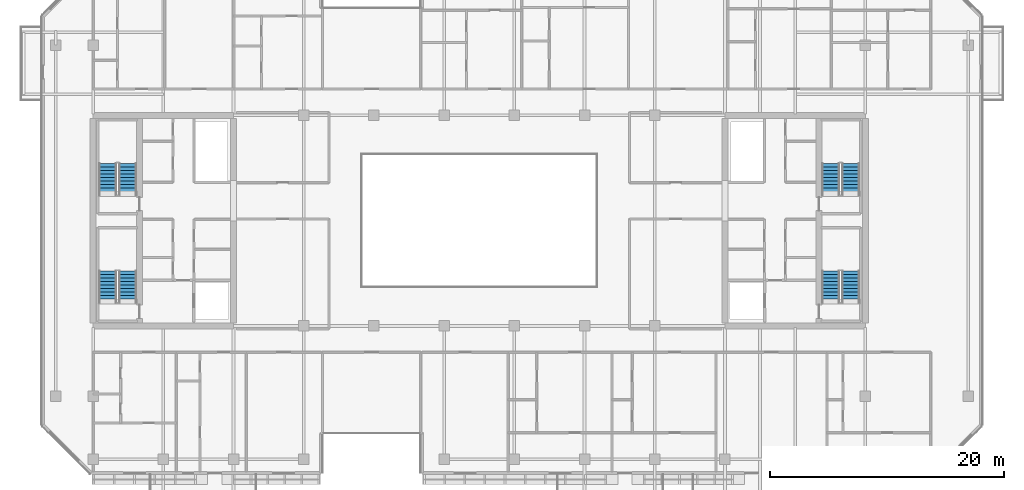
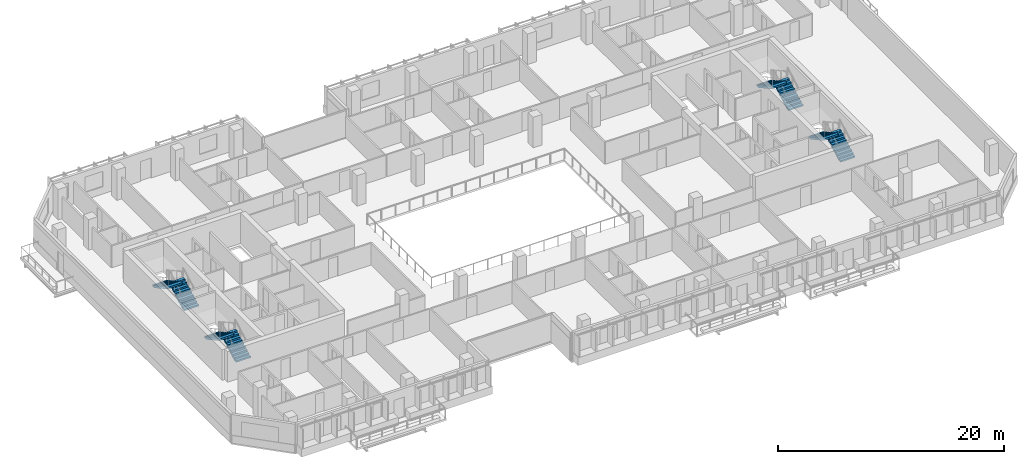
# One storey, part 15 of 21: 8 stair flights, 4 elements without a shape of their own.
"""IFC4 building model written with IfcOpenShell, lengths in metres."""

import ifcopenshell
import ifcopenshell.guid

model = None  # the IFC model being written
_history = None  # IfcOwnerHistory: only IFC2X3 demands one
_inside = {}  # id of a spatial element -> (the spatial element, [elements in it])
_under = {}  # id of a project, library or spatial element -> (it, [spatial elements below it])
_declared = {}  # id of a project -> (the project, [libraries it declares])
_typed = {}  # id of a type object -> (the type object, [elements of that type])
_made_of = {}  # id of a material, layer set ... -> (it, [elements and type objects made of it])


def new_model(schema):
    """Start an empty IFC model of exactly this schema.

    Asked for "IFC4X3", IfcOpenShell would pick the latest addendum, in which some entities
    have other attributes; the version numbers below select the first issue.
    IFC2X3 requires an IfcOwnerHistory on every rooted entity: one is made here for all.
    """
    global model, _history
    if schema == "IFC4X3":
        model = ifcopenshell.file(schema_version=(4, 3, 0, 0))
    else:
        model = ifcopenshell.file(schema=schema)
    _inside.clear()
    _under.clear()
    _declared.clear()
    _typed.clear()
    _made_of.clear()
    _history = None
    if model.schema == "IFC2X3":
        org = make("IfcOrganization", Name="unknown")
        user = make(
            "IfcPersonAndOrganization",
            ThePerson=make("IfcPerson", FamilyName="unknown"),
            TheOrganization=org,
        )
        app = make(
            "IfcApplication",
            ApplicationDeveloper=org,
            Version="unknown",
            ApplicationFullName="unknown",
            ApplicationIdentifier="unknown",
        )
        _history = make(
            "IfcOwnerHistory",
            OwningUser=user,
            OwningApplication=app,
            ChangeAction="ADDED",
            CreationDate=0,
        )
    return model


def make(cls, **values):
    """One entity of the class cls with the attributes given. An attribute that is None is left unset."""
    return model.create_entity(
        cls, **{name: value for name, value in values.items() if value is not None}
    )


def rooted(cls, **values):
    """An entity with a GlobalId (a new one), such as an element, a storey or a relation."""
    return make(cls, GlobalId=ifcopenshell.guid.new(), OwnerHistory=_history, **values)


def si_unit(unit_type, name, prefix=None):
    """IfcSIUnit, for example si_unit("LENGTHUNIT", "METRE", prefix="MILLI")."""
    return make("IfcSIUnit", UnitType=unit_type, Prefix=prefix, Name=name)


def assignment(units):
    """IfcUnitAssignment: the units of a project."""
    return None if units is None else make("IfcUnitAssignment", Units=units)


def point(xyz):
    """IfcCartesianPoint."""
    return None if xyz is None else make("IfcCartesianPoint", Coordinates=xyz)


def direction(xyz):
    """IfcDirection."""
    return None if xyz is None else make("IfcDirection", DirectionRatios=xyz)


def frame(location, z_axis=None, x_axis=None):
    """IfcAxis2Placement3D, a coordinate frame: its origin and axes. An axis left out is left unset."""
    return make(
        "IfcAxis2Placement3D",
        Location=point(location),
        Axis=direction(z_axis),
        RefDirection=direction(x_axis),
    )


def origin():
    """The frame at (0, 0, 0) with its axes left unset."""
    return frame((0.0, 0.0, 0.0))


def place(relative_to, where):
    """IfcLocalPlacement: puts the frame where relative to a parent placement (None: the world)."""
    return make(
        "IfcLocalPlacement", PlacementRelTo=relative_to, RelativePlacement=where
    )


def context(
    kind, dimensions, precision=None, world=None, true_north=None, identifier=None
):
    """IfcGeometricRepresentationContext, for example the 3D "Model" context."""
    return make(
        "IfcGeometricRepresentationContext",
        ContextIdentifier=identifier,
        ContextType=kind,
        CoordinateSpaceDimension=dimensions,
        Precision=precision,
        WorldCoordinateSystem=world,
        TrueNorth=true_north,
    )


def subcontext(parent, identifier, kind, view, scale=None):
    """IfcGeometricRepresentationSubContext, for example "Body" below "Model"."""
    return make(
        "IfcGeometricRepresentationSubContext",
        ContextIdentifier=identifier,
        ContextType=kind,
        ParentContext=parent,
        TargetScale=scale,
        TargetView=view,
    )


def project(units=None, contexts=None):
    """IfcProject with its units and contexts."""
    return rooted(
        "IfcProject",
        Name="project",
        RepresentationContexts=contexts,
        UnitsInContext=assignment(units),
    )


def spatial(cls, under=None, at=None, **own):
    """A site, building, storey or space (cls), placed at a placement, below another one or the project."""
    s = rooted(cls, ObjectPlacement=at, **own)
    if under is not None:
        _under.setdefault(under.id(), (under, []))[1].append(s)
    return s


def polyline(points):
    """IfcPolyline through the points."""
    return make("IfcPolyline", Points=[point(p) for p in points])


def outline(outer, holes=None, kind="AREA"):
    """IfcArbitraryClosedProfileDef: a profile drawn as a closed curve; with holes, ...WithVoids."""
    if holes is None:
        return make("IfcArbitraryClosedProfileDef", ProfileType=kind, OuterCurve=outer)
    return make(
        "IfcArbitraryProfileDefWithVoids",
        ProfileType=kind,
        OuterCurve=outer,
        InnerCurves=holes,
    )


def extrude(swept, where, along, depth):
    """IfcExtrudedAreaSolid: the profile swept, set in the frame where, extruded along a direction by depth."""
    return make(
        "IfcExtrudedAreaSolid",
        SweptArea=swept,
        Position=where,
        ExtrudedDirection=direction(along),
        Depth=depth,
    )


def shape(context_of_items, identifier, shape_type, items):
    """IfcShapeRepresentation: the items that make up one representation, for example the "Body"."""
    return make(
        "IfcShapeRepresentation",
        ContextOfItems=context_of_items,
        RepresentationIdentifier=identifier,
        RepresentationType=shape_type,
        Items=items,
    )


def material(Name=None, Category=None):
    """IfcMaterial."""
    return make("IfcMaterial", Name=Name, Category=Category)


def made_of(thing, what):
    """Note that an element or type object is made of a material, layer set ...; save() writes the relation."""
    if what is not None:
        _made_of.setdefault(what.id(), (what, []))[1].append(thing)
    return thing


def type_object(cls, material=None, **own):
    """A type object (cls), such as IfcWallType, which elements share."""
    return made_of(rooted(cls, **own), material)


def element(
    cls,
    number,
    at=None,
    inside=None,
    cuts=None,
    type_object=None,
    material=None,
    context=None,
    identifier="Body",
    shape_type=None,
    held_by="IfcProductDefinitionShape",
    body=None,
    shapes=None,
    **own,
):
    """One element of the class cls, such as IfcWall. Its Tag is "e" and its number.

    at: its placement. inside: the storey or other place that contains it. cuts: it is an
    opening in that element (IfcRelVoidsElement). A single representation is given by context,
    identifier, shape_type and body (its items); several are given by shapes. held_by: the class
    of the entity that holds the representations. save() writes the other relations.
    """
    e = rooted(cls, Tag="e%d" % number, ObjectPlacement=at, **own)
    if body is not None:
        shapes = [shape(context, identifier, shape_type, body)]
    if shapes is not None:
        e.Representation = make(held_by, Representations=shapes)
    if inside is not None:
        _inside.setdefault(inside.id(), (inside, []))[1].append(e)
    if cuts is not None:
        rooted(
            "IfcRelVoidsElement", RelatingBuildingElement=cuts, RelatedOpeningElement=e
        )
    if type_object is not None:
        _typed.setdefault(type_object.id(), (type_object, []))[1].append(e)
    return made_of(e, material)


def aggregate(whole, parts):
    """IfcRelAggregates: a whole, such as a stair, and the parts it consists of."""
    return rooted("IfcRelAggregates", RelatingObject=whole, RelatedObjects=parts)


def save(model, path):
    """Write the relations noted so far, then the file.

    IfcRelAggregates (storeys below a building ...), IfcRelContainedInSpatialStructure (elements
    in a storey), IfcRelDefinesByType, IfcRelAssociatesMaterial and IfcRelDeclares: one each for
    every whole, place, type object, material and project.
    """
    for whole, parts in _under.values():
        aggregate(whole, parts)
    for where, things in _inside.values():
        rooted(
            "IfcRelContainedInSpatialStructure",
            RelatedElements=things,
            RelatingStructure=where,
        )
    for kind, things in _typed.values():
        rooted("IfcRelDefinesByType", RelatedObjects=things, RelatingType=kind)
    for what, things in _made_of.values():
        rooted("IfcRelAssociatesMaterial", RelatedObjects=things, RelatingMaterial=what)
    for by, libraries in _declared.values():
        rooted("IfcRelDeclares", RelatingContext=by, RelatedDefinitions=libraries)
    model.write(path)


model = new_model("IFC4")

# Units and contexts
model_context = context("Model", 3, precision=1e-05, world=origin(), true_north=direction((0.0, 1.0)))
body_context = subcontext(model_context, "Body", "Model", "MODEL_VIEW")
ifc_project = project(units=[si_unit("LENGTHUNIT", "METRE"), si_unit("AREAUNIT", "SQUARE_METRE"), si_unit("VOLUMEUNIT", "CUBIC_METRE"), si_unit("PLANEANGLEUNIT", "RADIAN"), si_unit("MASSUNIT", "GRAM", prefix="KILO")], contexts=[model_context])

# Site, building, storey
site_placement = place(None, origin())
site = spatial("IfcSite", under=ifc_project, at=site_placement, CompositionType="ELEMENT")
building_placement = place(site_placement, origin())
building = spatial("IfcBuilding", under=site, at=building_placement, Name="Tanjung Sevakor Pilgrim Tower", CompositionType="ELEMENT")
storey_placement = place(building_placement, frame((0.0, 0.0, 145.199951171875)))
storey = spatial("IfcBuildingStorey", under=building, at=storey_placement, Name="L40", CompositionType="ELEMENT", Elevation=145.199951171875)

# Stair, stair flights
ifc_material_1 = material(Name="Concrete C40/50", Category="concrete")
stair_type = type_object("IfcStairType", Name="STAIR-ST-CR150", PredefinedType="HALF_TURN_STAIR", material=ifc_material_1)
stair_1_placement = place(storey_placement, origin())
stair_1 = element("IfcStair", 1, at=stair_1_placement, inside=storey, type_object=stair_type, Name="L40 West Core Exit Stair 1", PredefinedType="HALF_TURN_STAIR")
ifc_material_2 = material(Name="Concrete C40/50", Category="concrete")
stair_flight_type = type_object("IfcStairFlightType", Name="FLIGHT-ST-CR150", PredefinedType="STRAIGHT", material=ifc_material_2)
stair_flight_1_placement = place(storey_placement, frame((26.949951171875, 26.60009765625, 0.0), z_axis=(0.0, 0.0, 1.0), x_axis=(0.0, 1.0, 0.0)))
stair_flight_1 = element("IfcStairFlight", 2, at=stair_flight_1_placement, type_object=stair_flight_type, Name="TS-W1 flight 1", NumberOfRisers=10, NumberOfTreads=9, PredefinedType="STRAIGHT", RiserHeight=0.165, TreadLength=0.3, context=body_context, shape_type="SweptSolid", body=[
    extrude(outline(polyline([(0.0, 0.0), (0.0, 0.1650390625), (0.300048828125, 0.1650390625), (0.300048828125, 0.330078125), (0.60009765625, 0.330078125), (0.60009765625, 0.4951171875), (0.89990234375, 0.4951171875), (0.89990234375, 0.659912109375), (1.199951171875, 0.659912109375), (1.199951171875, 0.824951171875), (1.5, 0.824951171875), (1.5, 0.989990234375), (1.800048828125, 0.989990234375), (1.800048828125, 1.155029296875), (2.10009765625, 1.155029296875), (2.10009765625, 1.320068359375), (2.39990234375, 1.320068359375), (2.39990234375, 1.485107421875), (2.699951171875, 1.485107421875), (2.699951171875, 1.64990234375), (2.699951171875, 1.302490234375), (0.331787109375, 0.0), (0.0, 0.0)])), frame((0.0, 0.75, 0.0), z_axis=(0.0, -1.0, 0.0), x_axis=(1.0, 0.0, 0.0)), (0.0, 0.0, 1.0), 1.5),
])
stair_flight_2_placement = place(storey_placement, frame((25.25, 29.300048828125, 1.650146484375), z_axis=(0.0, 0.0, 1.0), x_axis=(0.0, -1.0, 0.0)))
stair_flight_2 = element("IfcStairFlight", 3, at=stair_flight_2_placement, type_object=stair_flight_type, Name="TS-W1 flight 2", NumberOfRisers=10, NumberOfTreads=9, PredefinedType="STRAIGHT", RiserHeight=0.165, TreadLength=0.3, context=body_context, shape_type="SweptSolid", body=[
    extrude(outline(polyline([(0.0, 0.0), (0.0, 0.1650390625), (0.300048828125, 0.1650390625), (0.300048828125, 0.330078125), (0.60009765625, 0.330078125), (0.60009765625, 0.4951171875), (0.89990234375, 0.4951171875), (0.89990234375, 0.659912109375), (1.199951171875, 0.659912109375), (1.199951171875, 0.824951171875), (1.5, 0.824951171875), (1.5, 0.989990234375), (1.800048828125, 0.989990234375), (1.800048828125, 1.155029296875), (2.10009765625, 1.155029296875), (2.10009765625, 1.320068359375), (2.39990234375, 1.320068359375), (2.39990234375, 1.485107421875), (2.699951171875, 1.485107421875), (2.699951171875, 1.64990234375), (2.699951171875, 1.302490234375), (0.331787109375, 0.0), (0.0, 0.0)])), frame((0.0, 0.75, 0.0), z_axis=(0.0, -1.0, 0.0), x_axis=(1.0, 0.0, 0.0)), (0.0, 0.0, 1.0), 1.5),
])
aggregate(stair_1, [stair_flight_1, stair_flight_2])

stair_2_placement = place(storey_placement, origin())
stair_2 = element("IfcStair", 4, at=stair_2_placement, inside=storey, type_object=stair_type, Name="L40 West Core Exit Stair 2", PredefinedType="HALF_TURN_STAIR")
stair_flight_3_placement = place(storey_placement, frame((26.949951171875, 35.800048828125, 0.0), z_axis=(0.0, 0.0, 1.0), x_axis=(0.0, 1.0, 0.0)))
stair_flight_3 = element("IfcStairFlight", 5, at=stair_flight_3_placement, type_object=stair_flight_type, Name="TS-W2 flight 1", NumberOfRisers=10, NumberOfTreads=9, PredefinedType="STRAIGHT", RiserHeight=0.165, TreadLength=0.3, context=body_context, shape_type="SweptSolid", body=[
    extrude(outline(polyline([(0.0, 0.0), (0.0, 0.1650390625), (0.300048828125, 0.1650390625), (0.300048828125, 0.330078125), (0.60009765625, 0.330078125), (0.60009765625, 0.4951171875), (0.89990234375, 0.4951171875), (0.89990234375, 0.659912109375), (1.199951171875, 0.659912109375), (1.199951171875, 0.824951171875), (1.5, 0.824951171875), (1.5, 0.989990234375), (1.800048828125, 0.989990234375), (1.800048828125, 1.155029296875), (2.10009765625, 1.155029296875), (2.10009765625, 1.320068359375), (2.39990234375, 1.320068359375), (2.39990234375, 1.485107421875), (2.699951171875, 1.485107421875), (2.699951171875, 1.64990234375), (2.699951171875, 1.302490234375), (0.331787109375, 0.0), (0.0, 0.0)])), frame((0.0, 0.75, 0.0), z_axis=(0.0, -1.0, 0.0), x_axis=(1.0, 0.0, 0.0)), (0.0, 0.0, 1.0), 1.5),
])
stair_flight_4_placement = place(storey_placement, frame((25.25, 38.5, 1.650146484375), z_axis=(0.0, 0.0, 1.0), x_axis=(0.0, -1.0, 0.0)))
stair_flight_4 = element("IfcStairFlight", 6, at=stair_flight_4_placement, type_object=stair_flight_type, Name="TS-W2 flight 2", NumberOfRisers=10, NumberOfTreads=9, PredefinedType="STRAIGHT", RiserHeight=0.165, TreadLength=0.3, context=body_context, shape_type="SweptSolid", body=[
    extrude(outline(polyline([(0.0, 0.0), (0.0, 0.1650390625), (0.300048828125, 0.1650390625), (0.300048828125, 0.330078125), (0.60009765625, 0.330078125), (0.60009765625, 0.4951171875), (0.89990234375, 0.4951171875), (0.89990234375, 0.659912109375), (1.199951171875, 0.659912109375), (1.199951171875, 0.824951171875), (1.5, 0.824951171875), (1.5, 0.989990234375), (1.800048828125, 0.989990234375), (1.800048828125, 1.155029296875), (2.10009765625, 1.155029296875), (2.10009765625, 1.320068359375), (2.39990234375, 1.320068359375), (2.39990234375, 1.485107421875), (2.699951171875, 1.485107421875), (2.699951171875, 1.64990234375), (2.699951171875, 1.302490234375), (0.331787109375, 0.0), (0.0, 0.0)])), frame((0.0, 0.75, 0.0), z_axis=(0.0, -1.0, 0.0), x_axis=(1.0, 0.0, 0.0)), (0.0, 0.0, 1.0), 1.5),
])
aggregate(stair_2, [stair_flight_3, stair_flight_4])

stair_3_placement = place(storey_placement, origin())
stair_3 = element("IfcStair", 7, at=stair_3_placement, inside=storey, type_object=stair_type, Name="L40 East Core Exit Stair 1", PredefinedType="HALF_TURN_STAIR")
stair_flight_5_placement = place(storey_placement, frame((88.75, 26.60009765625, 0.0), z_axis=(0.0, 0.0, 1.0), x_axis=(0.0, 1.0, 0.0)))
stair_flight_5 = element("IfcStairFlight", 8, at=stair_flight_5_placement, type_object=stair_flight_type, Name="TS-E1 flight 1", NumberOfRisers=10, NumberOfTreads=9, PredefinedType="STRAIGHT", RiserHeight=0.165, TreadLength=0.3, context=body_context, shape_type="SweptSolid", body=[
    extrude(outline(polyline([(0.0, 0.0), (0.0, 0.1650390625), (0.300048828125, 0.1650390625), (0.300048828125, 0.330078125), (0.60009765625, 0.330078125), (0.60009765625, 0.4951171875), (0.89990234375, 0.4951171875), (0.89990234375, 0.659912109375), (1.199951171875, 0.659912109375), (1.199951171875, 0.824951171875), (1.5, 0.824951171875), (1.5, 0.989990234375), (1.800048828125, 0.989990234375), (1.800048828125, 1.155029296875), (2.10009765625, 1.155029296875), (2.10009765625, 1.320068359375), (2.39990234375, 1.320068359375), (2.39990234375, 1.485107421875), (2.699951171875, 1.485107421875), (2.699951171875, 1.64990234375), (2.699951171875, 1.302490234375), (0.331787109375, 0.0), (0.0, 0.0)])), frame((0.0, 0.75, 0.0), z_axis=(0.0, -1.0, 0.0), x_axis=(1.0, 0.0, 0.0)), (0.0, 0.0, 1.0), 1.5),
])
stair_flight_6_placement = place(storey_placement, frame((87.050048828125, 29.300048828125, 1.650146484375), z_axis=(0.0, 0.0, 1.0), x_axis=(0.0, -1.0, 0.0)))
stair_flight_6 = element("IfcStairFlight", 9, at=stair_flight_6_placement, type_object=stair_flight_type, Name="TS-E1 flight 2", NumberOfRisers=10, NumberOfTreads=9, PredefinedType="STRAIGHT", RiserHeight=0.165, TreadLength=0.3, context=body_context, shape_type="SweptSolid", body=[
    extrude(outline(polyline([(0.0, 0.0), (0.0, 0.1650390625), (0.300048828125, 0.1650390625), (0.300048828125, 0.330078125), (0.60009765625, 0.330078125), (0.60009765625, 0.4951171875), (0.89990234375, 0.4951171875), (0.89990234375, 0.659912109375), (1.199951171875, 0.659912109375), (1.199951171875, 0.824951171875), (1.5, 0.824951171875), (1.5, 0.989990234375), (1.800048828125, 0.989990234375), (1.800048828125, 1.155029296875), (2.10009765625, 1.155029296875), (2.10009765625, 1.320068359375), (2.39990234375, 1.320068359375), (2.39990234375, 1.485107421875), (2.699951171875, 1.485107421875), (2.699951171875, 1.64990234375), (2.699951171875, 1.302490234375), (0.331787109375, 0.0), (0.0, 0.0)])), frame((0.0, 0.75, 0.0), z_axis=(0.0, -1.0, 0.0), x_axis=(1.0, 0.0, 0.0)), (0.0, 0.0, 1.0), 1.5),
])
aggregate(stair_3, [stair_flight_5, stair_flight_6])

stair_4_placement = place(storey_placement, origin())
stair_4 = element("IfcStair", 10, at=stair_4_placement, inside=storey, type_object=stair_type, Name="L40 East Core Exit Stair 2", PredefinedType="HALF_TURN_STAIR")
stair_flight_7_placement = place(storey_placement, frame((88.75, 35.800048828125, 0.0), z_axis=(0.0, 0.0, 1.0), x_axis=(0.0, 1.0, 0.0)))
stair_flight_7 = element("IfcStairFlight", 11, at=stair_flight_7_placement, type_object=stair_flight_type, Name="TS-E2 flight 1", NumberOfRisers=10, NumberOfTreads=9, PredefinedType="STRAIGHT", RiserHeight=0.165, TreadLength=0.3, context=body_context, shape_type="SweptSolid", body=[
    extrude(outline(polyline([(0.0, 0.0), (0.0, 0.1650390625), (0.300048828125, 0.1650390625), (0.300048828125, 0.330078125), (0.60009765625, 0.330078125), (0.60009765625, 0.4951171875), (0.89990234375, 0.4951171875), (0.89990234375, 0.659912109375), (1.199951171875, 0.659912109375), (1.199951171875, 0.824951171875), (1.5, 0.824951171875), (1.5, 0.989990234375), (1.800048828125, 0.989990234375), (1.800048828125, 1.155029296875), (2.10009765625, 1.155029296875), (2.10009765625, 1.320068359375), (2.39990234375, 1.320068359375), (2.39990234375, 1.485107421875), (2.699951171875, 1.485107421875), (2.699951171875, 1.64990234375), (2.699951171875, 1.302490234375), (0.331787109375, 0.0), (0.0, 0.0)])), frame((0.0, 0.75, 0.0), z_axis=(0.0, -1.0, 0.0), x_axis=(1.0, 0.0, 0.0)), (0.0, 0.0, 1.0), 1.5),
])
stair_flight_8_placement = place(storey_placement, frame((87.050048828125, 38.5, 1.650146484375), z_axis=(0.0, 0.0, 1.0), x_axis=(0.0, -1.0, 0.0)))
stair_flight_8 = element("IfcStairFlight", 12, at=stair_flight_8_placement, type_object=stair_flight_type, Name="TS-E2 flight 2", NumberOfRisers=10, NumberOfTreads=9, PredefinedType="STRAIGHT", RiserHeight=0.165, TreadLength=0.3, context=body_context, shape_type="SweptSolid", body=[
    extrude(outline(polyline([(0.0, 0.0), (0.0, 0.1650390625), (0.300048828125, 0.1650390625), (0.300048828125, 0.330078125), (0.60009765625, 0.330078125), (0.60009765625, 0.4951171875), (0.89990234375, 0.4951171875), (0.89990234375, 0.659912109375), (1.199951171875, 0.659912109375), (1.199951171875, 0.824951171875), (1.5, 0.824951171875), (1.5, 0.989990234375), (1.800048828125, 0.989990234375), (1.800048828125, 1.155029296875), (2.10009765625, 1.155029296875), (2.10009765625, 1.320068359375), (2.39990234375, 1.320068359375), (2.39990234375, 1.485107421875), (2.699951171875, 1.485107421875), (2.699951171875, 1.64990234375), (2.699951171875, 1.302490234375), (0.331787109375, 0.0), (0.0, 0.0)])), frame((0.0, 0.75, 0.0), z_axis=(0.0, -1.0, 0.0), x_axis=(1.0, 0.0, 0.0)), (0.0, 0.0, 1.0), 1.5),
])
aggregate(stair_4, [stair_flight_7, stair_flight_8])

save(model, "model.ifc")
